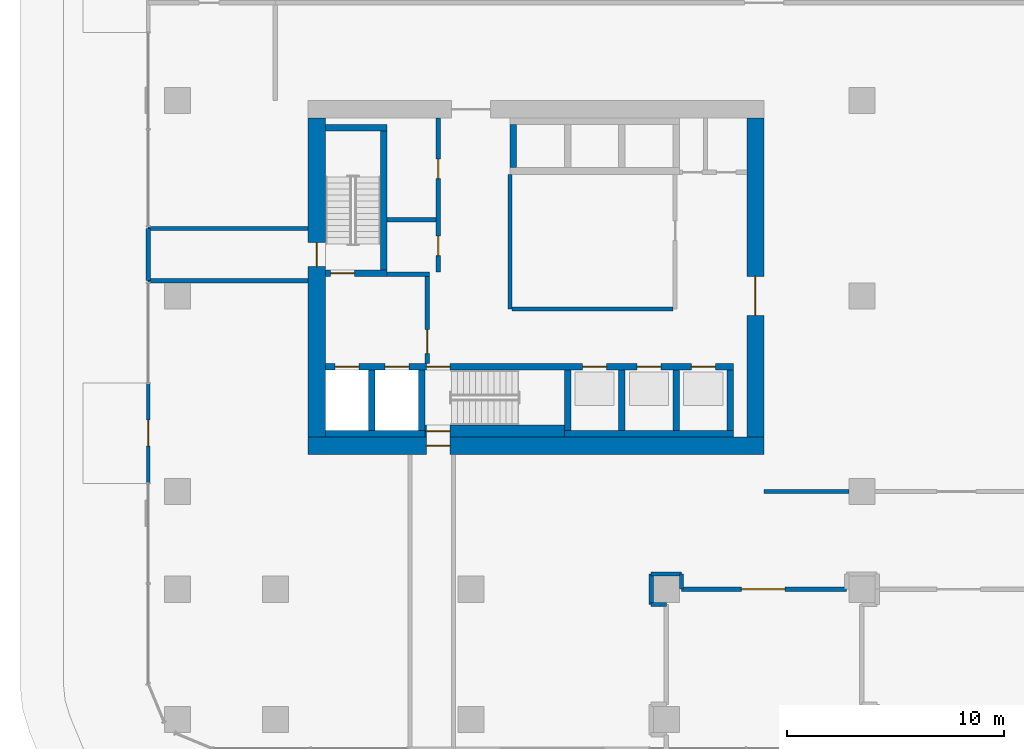
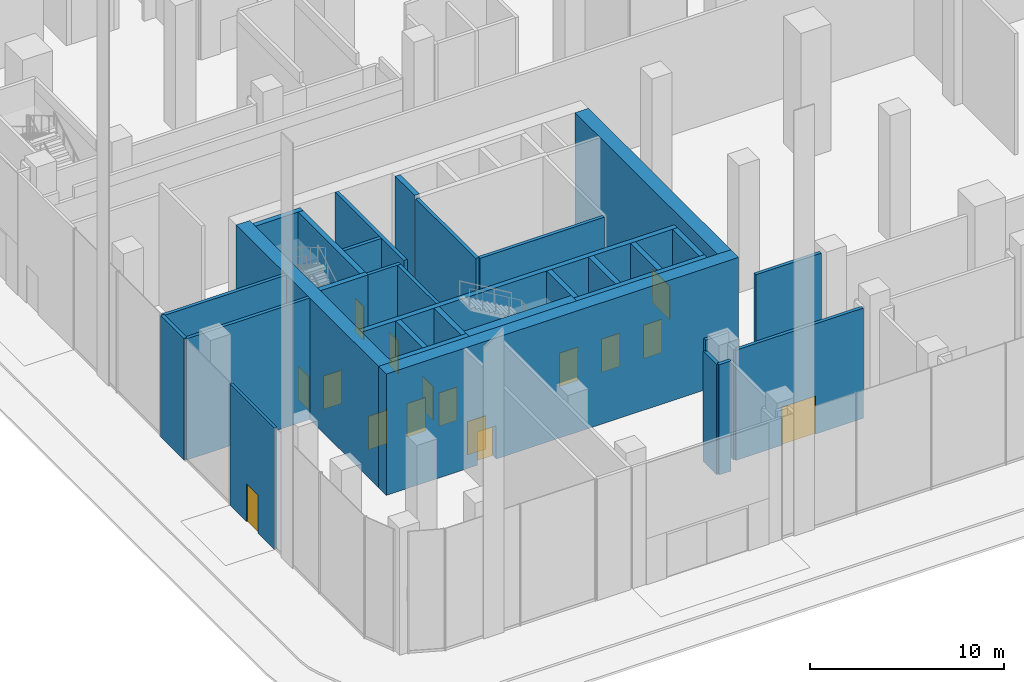
# One storey, part 17 of 42: 33 walls, 16 doors, 16 openings.
"""IFC4 building model written with IfcOpenShell, lengths in metres."""

import ifcopenshell
import ifcopenshell.guid

model = None  # the IFC model being written
_history = None  # IfcOwnerHistory: only IFC2X3 demands one
_inside = {}  # id of a spatial element -> (the spatial element, [elements in it])
_under = {}  # id of a project, library or spatial element -> (it, [spatial elements below it])
_declared = {}  # id of a project -> (the project, [libraries it declares])
_typed = {}  # id of a type object -> (the type object, [elements of that type])
_made_of = {}  # id of a material, layer set ... -> (it, [elements and type objects made of it])


def new_model(schema):
    """Start an empty IFC model of exactly this schema.

    Asked for "IFC4X3", IfcOpenShell would pick the latest addendum, in which some entities
    have other attributes; the version numbers below select the first issue.
    IFC2X3 requires an IfcOwnerHistory on every rooted entity: one is made here for all.
    """
    global model, _history
    if schema == "IFC4X3":
        model = ifcopenshell.file(schema_version=(4, 3, 0, 0))
    else:
        model = ifcopenshell.file(schema=schema)
    _inside.clear()
    _under.clear()
    _declared.clear()
    _typed.clear()
    _made_of.clear()
    _history = None
    if model.schema == "IFC2X3":
        org = make("IfcOrganization", Name="unknown")
        user = make(
            "IfcPersonAndOrganization",
            ThePerson=make("IfcPerson", FamilyName="unknown"),
            TheOrganization=org,
        )
        app = make(
            "IfcApplication",
            ApplicationDeveloper=org,
            Version="unknown",
            ApplicationFullName="unknown",
            ApplicationIdentifier="unknown",
        )
        _history = make(
            "IfcOwnerHistory",
            OwningUser=user,
            OwningApplication=app,
            ChangeAction="ADDED",
            CreationDate=0,
        )
    return model


def make(cls, **values):
    """One entity of the class cls with the attributes given. An attribute that is None is left unset."""
    return model.create_entity(
        cls, **{name: value for name, value in values.items() if value is not None}
    )


def rooted(cls, **values):
    """An entity with a GlobalId (a new one), such as an element, a storey or a relation."""
    return make(cls, GlobalId=ifcopenshell.guid.new(), OwnerHistory=_history, **values)


def si_unit(unit_type, name, prefix=None):
    """IfcSIUnit, for example si_unit("LENGTHUNIT", "METRE", prefix="MILLI")."""
    return make("IfcSIUnit", UnitType=unit_type, Prefix=prefix, Name=name)


def assignment(units):
    """IfcUnitAssignment: the units of a project."""
    return None if units is None else make("IfcUnitAssignment", Units=units)


def point(xyz):
    """IfcCartesianPoint."""
    return None if xyz is None else make("IfcCartesianPoint", Coordinates=xyz)


def direction(xyz):
    """IfcDirection."""
    return None if xyz is None else make("IfcDirection", DirectionRatios=xyz)


def frame(location, z_axis=None, x_axis=None):
    """IfcAxis2Placement3D, a coordinate frame: its origin and axes. An axis left out is left unset."""
    return make(
        "IfcAxis2Placement3D",
        Location=point(location),
        Axis=direction(z_axis),
        RefDirection=direction(x_axis),
    )


def frame_2d(location, x_axis=None):
    """IfcAxis2Placement2D, a coordinate frame in the plane: its origin and x axis."""
    return make(
        "IfcAxis2Placement2D", Location=point(location), RefDirection=direction(x_axis)
    )


def origin():
    """The frame at (0, 0, 0) with its axes left unset."""
    return frame((0.0, 0.0, 0.0))


def place(relative_to, where):
    """IfcLocalPlacement: puts the frame where relative to a parent placement (None: the world)."""
    return make(
        "IfcLocalPlacement", PlacementRelTo=relative_to, RelativePlacement=where
    )


def context(
    kind, dimensions, precision=None, world=None, true_north=None, identifier=None
):
    """IfcGeometricRepresentationContext, for example the 3D "Model" context."""
    return make(
        "IfcGeometricRepresentationContext",
        ContextIdentifier=identifier,
        ContextType=kind,
        CoordinateSpaceDimension=dimensions,
        Precision=precision,
        WorldCoordinateSystem=world,
        TrueNorth=true_north,
    )


def subcontext(parent, identifier, kind, view, scale=None):
    """IfcGeometricRepresentationSubContext, for example "Body" below "Model"."""
    return make(
        "IfcGeometricRepresentationSubContext",
        ContextIdentifier=identifier,
        ContextType=kind,
        ParentContext=parent,
        TargetScale=scale,
        TargetView=view,
    )


def project(units=None, contexts=None):
    """IfcProject with its units and contexts."""
    return rooted(
        "IfcProject",
        Name="project",
        RepresentationContexts=contexts,
        UnitsInContext=assignment(units),
    )


def spatial(cls, under=None, at=None, **own):
    """A site, building, storey or space (cls), placed at a placement, below another one or the project."""
    s = rooted(cls, ObjectPlacement=at, **own)
    if under is not None:
        _under.setdefault(under.id(), (under, []))[1].append(s)
    return s


def profile(cls, at=None, kind="AREA", **sizes):
    """A parametric profile (cls). Its sizes go by their IFC names, for example OverallWidth=200.0."""
    return make(cls, ProfileType=kind, Position=at, **sizes)


def rectangle(**sizes):
    """IfcRectangleProfileDef."""
    return profile("IfcRectangleProfileDef", **sizes)


def extrude(swept, where, along, depth):
    """IfcExtrudedAreaSolid: the profile swept, set in the frame where, extruded along a direction by depth."""
    return make(
        "IfcExtrudedAreaSolid",
        SweptArea=swept,
        Position=where,
        ExtrudedDirection=direction(along),
        Depth=depth,
    )


def shape(context_of_items, identifier, shape_type, items):
    """IfcShapeRepresentation: the items that make up one representation, for example the "Body"."""
    return make(
        "IfcShapeRepresentation",
        ContextOfItems=context_of_items,
        RepresentationIdentifier=identifier,
        RepresentationType=shape_type,
        Items=items,
    )


def material(Name=None, Category=None):
    """IfcMaterial."""
    return make("IfcMaterial", Name=Name, Category=Category)


def layer(
    of_material, thickness, ventilated=None, Name=None, Category=None, Priority=None
):
    """IfcMaterialLayer: one layer of a wall or slab, of a material (None: an air gap)."""
    return make(
        "IfcMaterialLayer",
        Material=of_material,
        LayerThickness=thickness,
        IsVentilated=ventilated,
        Name=Name,
        Category=Category,
        Priority=Priority,
    )


def layer_set(layers, Name=None):
    """IfcMaterialLayerSet."""
    return make("IfcMaterialLayerSet", MaterialLayers=layers, LayerSetName=Name)


def made_of(thing, what):
    """Note that an element or type object is made of a material, layer set ...; save() writes the relation."""
    if what is not None:
        _made_of.setdefault(what.id(), (what, []))[1].append(thing)
    return thing


def type_object(cls, material=None, **own):
    """A type object (cls), such as IfcWallType, which elements share."""
    return made_of(rooted(cls, **own), material)


def element(
    cls,
    number,
    at=None,
    inside=None,
    cuts=None,
    type_object=None,
    material=None,
    context=None,
    identifier="Body",
    shape_type=None,
    held_by="IfcProductDefinitionShape",
    body=None,
    shapes=None,
    **own,
):
    """One element of the class cls, such as IfcWall. Its Tag is "e" and its number.

    at: its placement. inside: the storey or other place that contains it. cuts: it is an
    opening in that element (IfcRelVoidsElement). A single representation is given by context,
    identifier, shape_type and body (its items); several are given by shapes. held_by: the class
    of the entity that holds the representations. save() writes the other relations.
    """
    e = rooted(cls, Tag="e%d" % number, ObjectPlacement=at, **own)
    if body is not None:
        shapes = [shape(context, identifier, shape_type, body)]
    if shapes is not None:
        e.Representation = make(held_by, Representations=shapes)
    if inside is not None:
        _inside.setdefault(inside.id(), (inside, []))[1].append(e)
    if cuts is not None:
        rooted(
            "IfcRelVoidsElement", RelatingBuildingElement=cuts, RelatedOpeningElement=e
        )
    if type_object is not None:
        _typed.setdefault(type_object.id(), (type_object, []))[1].append(e)
    return made_of(e, material)


def fill(opening, filler):
    """IfcRelFillsElement: the door or window that sits in an opening."""
    return rooted(
        "IfcRelFillsElement",
        RelatingOpeningElement=opening,
        RelatedBuildingElement=filler,
    )


def aggregate(whole, parts):
    """IfcRelAggregates: a whole, such as a stair, and the parts it consists of."""
    return rooted("IfcRelAggregates", RelatingObject=whole, RelatedObjects=parts)


def save(model, path):
    """Write the relations noted so far, then the file.

    IfcRelAggregates (storeys below a building ...), IfcRelContainedInSpatialStructure (elements
    in a storey), IfcRelDefinesByType, IfcRelAssociatesMaterial and IfcRelDeclares: one each for
    every whole, place, type object, material and project.
    """
    for whole, parts in _under.values():
        aggregate(whole, parts)
    for where, things in _inside.values():
        rooted(
            "IfcRelContainedInSpatialStructure",
            RelatedElements=things,
            RelatingStructure=where,
        )
    for kind, things in _typed.values():
        rooted("IfcRelDefinesByType", RelatedObjects=things, RelatingType=kind)
    for what, things in _made_of.values():
        rooted("IfcRelAssociatesMaterial", RelatedObjects=things, RelatingMaterial=what)
    for by, libraries in _declared.values():
        rooted("IfcRelDeclares", RelatingContext=by, RelatedDefinitions=libraries)
    model.write(path)


model = new_model("IFC4")

# Units and contexts
model_context = context("Model", 3, precision=1e-05, world=origin(), true_north=direction((0.0, 1.0)))
body_context = subcontext(model_context, "Body", "Model", "MODEL_VIEW")
ifc_project = project(units=[si_unit("LENGTHUNIT", "METRE"), si_unit("AREAUNIT", "SQUARE_METRE"), si_unit("VOLUMEUNIT", "CUBIC_METRE"), si_unit("PLANEANGLEUNIT", "RADIAN"), si_unit("MASSUNIT", "GRAM", prefix="KILO")], contexts=[model_context])

# Site, building, storey
site_placement = place(None, origin())
site = spatial("IfcSite", under=ifc_project, at=site_placement, CompositionType="ELEMENT")
building_placement = place(site_placement, origin())
building = spatial("IfcBuilding", under=site, at=building_placement, Name="Plateau Cross Towers", CompositionType="ELEMENT")
storey_placement = place(building_placement, origin())
storey = spatial("IfcBuildingStorey", under=building, at=storey_placement, Name="L00", CompositionType="ELEMENT", Elevation=0.0)

# Wall, opening, door
ifc_material_1 = material(Name="Concrete block, plastered both sides", Category="concrete")
ifc_layer_1 = layer(ifc_material_1, 0.199951171875)
ifc_layer_set_1 = layer_set([ifc_layer_1], Name="Concrete block, plastered both sides")
wall_type_1 = type_object("IfcWallType", Name="Core partition 200", PredefinedType="PARTITIONING", material=ifc_layer_set_1)
wall_1_placement = place(storey_placement, frame((7.0, 5.89990234375, 0.0), z_axis=(0.0, 0.0, 1.0), x_axis=(0.0, 1.0, 0.0)))
wall_1 = element("IfcWall", 1, at=wall_1_placement, inside=storey, type_object=wall_type_1, Name="Core partition", PredefinedType="PARTITIONING", context=body_context, shape_type="SweptSolid", body=[
    extrude(rectangle(XDim=4.0, YDim=0.199951171875, at=frame_2d((2.0, 0.0))), origin(), (0.0, 0.0, 1.0), 7.64990234375),
])
opening_1_placement = place(wall_1_placement, frame((0.449951171875, 0.0, 0.0)))
opening_1 = element("IfcOpeningElement", 2, at=opening_1_placement, cuts=wall_1, Name="Opening FFD", PredefinedType="OPENING", context=body_context, shape_type="SweptSolid", body=[
    extrude(rectangle(XDim=1.10009765625, YDim=2.10009765625, at=frame_2d((0.550048828125, 1.050048828125))), frame((0.0, 0.10986328125, 0.0), z_axis=(0.0, -1.0, 0.0), x_axis=(1.0, 0.0, 0.0)), (0.0, 0.0, 1.0), 0.219970703125),
])
ifc_material_2 = material(Name="Steel, fire-resisting leaf", Category="steel")
door_type_1 = type_object("IfcDoorType", Name="Firefighting lobby door 1100", OperationType="NOTDEFINED", PredefinedType="DOOR", material=ifc_material_2)
door_1_placement = place(opening_1_placement, origin())
door_1 = element("IfcDoor", 3, at=door_1_placement, inside=storey, type_object=door_type_1, Name="Firefighting lobby door FFD", OperationType="SINGLE_SWING_LEFT", OverallHeight=2.10009765625, OverallWidth=1.10009765625, PredefinedType="DOOR", context=body_context, shape_type="SweptSolid", body=[
    extrude(rectangle(XDim=1.10009765625, YDim=2.10009765625, at=frame_2d((0.550048828125, 1.050048828125))), frame((0.0, 0.02490234375, 0.0), z_axis=(0.0, -1.0, 0.0), x_axis=(1.0, 0.0, 0.0)), (0.0, 0.0, 1.0), 0.050048828125),
])
fill(opening_1, door_1)

# Walls
wall_2_placement = place(storey_placement, frame((5.14990234375, 10.0, 0.0), z_axis=(0.0, 0.0, 1.0), x_axis=(1.0, 0.0, 0.0)))
element("IfcWall", 4, at=wall_2_placement, inside=storey, type_object=wall_type_1, Name="Core partition", PredefinedType="PARTITIONING", context=body_context, shape_type="SweptSolid", body=[
    extrude(rectangle(XDim=1.9501953125, YDim=0.199951171875, at=frame_2d((0.97509765625, 0.0))), origin(), (0.0, 0.0, 1.0), 7.64990234375),
])
wall_3_placement = place(storey_placement, frame((10.800048828125, 8.39990234375, 0.0), z_axis=(0.0, 0.0, 1.0), x_axis=(0.0, 1.0, 0.0)))
element("IfcWall", 5, at=wall_3_placement, inside=storey, type_object=wall_type_1, Name="Core partition", PredefinedType="PARTITIONING", context=body_context, shape_type="SweptSolid", body=[
    extrude(rectangle(XDim=6.2001953125, YDim=0.199951171875, at=frame_2d((3.10009765625, 0.0))), origin(), (0.0, 0.0, 1.0), 7.64990234375),
])
wall_4_placement = place(storey_placement, frame((10.89990234375, 8.39990234375, 0.0), z_axis=(0.0, 0.0, 1.0), x_axis=(1.0, 0.0, 0.0)))
element("IfcWall", 6, at=wall_4_placement, inside=storey, type_object=wall_type_1, Name="Core partition", PredefinedType="PARTITIONING", context=body_context, shape_type="SweptSolid", body=[
    extrude(rectangle(XDim=7.400146484375, YDim=0.199951171875, at=frame_2d((3.7001953125, 0.0))), origin(), (0.0, 0.0, 1.0), 7.64990234375),
])

# Wall, openings, doors
wall_5_placement = place(storey_placement, frame((7.5, 10.10009765625, 0.0), z_axis=(0.0, 0.0, 1.0), x_axis=(0.0, 1.0, 0.0)))
wall_5 = element("IfcWall", 7, at=wall_5_placement, inside=storey, type_object=wall_type_1, Name="Core partition", PredefinedType="PARTITIONING", context=body_context, shape_type="SweptSolid", body=[
    extrude(rectangle(XDim=7.099853515625, YDim=0.199951171875, at=frame_2d((3.5498046875, 0.0))), origin(), (0.0, 0.0, 1.0), 7.64990234375),
])
opening_2_placement = place(wall_5_placement, frame((0.75, 0.0, 0.0)))
opening_2 = element("IfcOpeningElement", 8, at=opening_2_placement, cuts=wall_5, Name="Opening RD1", PredefinedType="OPENING", context=body_context, shape_type="SweptSolid", body=[
    extrude(rectangle(XDim=0.89990234375, YDim=2.10009765625, at=frame_2d((0.449951171875, 1.050048828125))), frame((0.0, 0.10986328125, 0.0), z_axis=(0.0, -1.0, 0.0), x_axis=(1.0, 0.0, 0.0)), (0.0, 0.0, 1.0), 0.219970703125),
])
opening_3_placement = place(wall_5_placement, frame((4.300048828125, 0.0, 0.0)))
opening_3 = element("IfcOpeningElement", 9, at=opening_3_placement, cuts=wall_5, Name="Opening RD1", PredefinedType="OPENING", context=body_context, shape_type="SweptSolid", body=[
    extrude(rectangle(XDim=0.89990234375, YDim=2.10009765625, at=frame_2d((0.449951171875, 1.050048828125))), frame((0.0, 0.10986328125, 0.0), z_axis=(0.0, -1.0, 0.0), x_axis=(1.0, 0.0, 0.0)), (0.0, 0.0, 1.0), 0.219970703125),
])
ifc_material_3 = material(Name="Timber, fire-resisting leaf", Category="wood")
door_type_2 = type_object("IfcDoorType", Name="Core service door 900", OperationType="NOTDEFINED", PredefinedType="DOOR", material=ifc_material_3)
door_2_placement = place(opening_2_placement, origin())
door_2 = element("IfcDoor", 10, at=door_2_placement, inside=storey, type_object=door_type_2, Name="Core service door RD1", OperationType="SINGLE_SWING_RIGHT", OverallHeight=2.10009765625, OverallWidth=0.89990234375, PredefinedType="DOOR", context=body_context, shape_type="SweptSolid", body=[
    extrude(rectangle(XDim=0.89990234375, YDim=2.10009765625, at=frame_2d((0.449951171875, 1.050048828125))), frame((0.0, 0.02490234375, 0.0), z_axis=(0.0, -1.0, 0.0), x_axis=(1.0, 0.0, 0.0)), (0.0, 0.0, 1.0), 0.050048828125),
])
fill(opening_2, door_2)
door_3_placement = place(opening_3_placement, origin())
door_3 = element("IfcDoor", 11, at=door_3_placement, inside=storey, type_object=door_type_2, Name="Core service door RD1", OperationType="SINGLE_SWING_RIGHT", OverallHeight=2.10009765625, OverallWidth=0.89990234375, PredefinedType="DOOR", context=body_context, shape_type="SweptSolid", body=[
    extrude(rectangle(XDim=0.89990234375, YDim=2.10009765625, at=frame_2d((0.449951171875, 1.050048828125))), frame((0.0, 0.02490234375, 0.0), z_axis=(0.0, -1.0, 0.0), x_axis=(1.0, 0.0, 0.0)), (0.0, 0.0, 1.0), 0.050048828125),
])
fill(opening_3, door_3)

# Walls
wall_6_placement = place(storey_placement, frame((5.14990234375, 12.5, 0.0), z_axis=(0.0, 0.0, 1.0), x_axis=(1.0, 0.0, 0.0)))
element("IfcWall", 12, at=wall_6_placement, inside=storey, type_object=wall_type_1, Name="Core partition", PredefinedType="PARTITIONING", context=body_context, shape_type="SweptSolid", body=[
    extrude(rectangle(XDim=2.25, YDim=0.199951171875, at=frame_2d((1.125, 0.0))), origin(), (0.0, 0.0, 1.0), 7.64990234375),
])
for number, where, z_axis, x_axis, name in (
    (13, (-5.85009765625, 9.699951171875, 0.0), (0.0, 0.0, 1.0), (1.0, 0.0, 0.0), "Core partition"),
    (14, (-5.85009765625, 12.10009765625, 0.0), (0.0, 0.0, 1.0), (1.0, 0.0, 0.0), "Core partition"),
):
    element("IfcWall", number, at=place(storey_placement, frame(where, z_axis=z_axis, x_axis=x_axis)), inside=storey, type_object=wall_type_1, Name=name, PredefinedType="PARTITIONING", context=body_context, shape_type="SweptSolid", body=[
        extrude(rectangle(XDim=7.35009765625, YDim=0.199951171875, at=frame_2d((3.675048828125, 0.0))), origin(), (0.0, 0.0, 1.0), 7.64990234375),
    ])
wall_7_placement = place(storey_placement, frame((-5.85009765625, 9.699951171875, 0.0), z_axis=(0.0, 0.0, 1.0), x_axis=(0.0, 1.0, 0.0)))
element("IfcWall", 15, at=wall_7_placement, inside=storey, type_object=wall_type_1, Name="Core partition", PredefinedType="PARTITIONING", context=body_context, shape_type="SweptSolid", body=[
    extrude(rectangle(XDim=2.400146484375, YDim=0.199951171875, at=frame_2d((1.2001953125, 0.0))), origin(), (0.0, 0.0, 1.0), 7.64990234375),
])
ifc_material_4 = material(Name="Concrete C60/75", Category="concrete")
ifc_layer_2 = layer(ifc_material_4, 0.300048828125)
ifc_layer_set_2 = layer_set([ifc_layer_2], Name="Concrete C60/75")
wall_type_2 = type_object("IfcWallType", Name="Core shaft wall 300", PredefinedType="SHEAR", material=ifc_layer_set_2)
wall_8_placement = place(storey_placement, frame((2.300048828125, 2.64990234375, 0.0), z_axis=(0.0, 0.0, 1.0), x_axis=(1.0, 0.0, 0.0)))
element("IfcWall", 16, at=wall_8_placement, inside=storey, type_object=wall_type_2, Name="A-sb-back1@L00", PredefinedType="SHEAR", context=body_context, shape_type="SweptSolid", body=[
    extrude(rectangle(XDim=4.599853515625, YDim=0.300048828125, at=frame_2d((2.2998046875, 0.0))), origin(), (0.0, 0.0, 1.0), 7.64990234375),
])
wall_9_placement = place(storey_placement, frame((13.300048828125, 2.64990234375, 0.0), z_axis=(0.0, 0.0, 1.0), x_axis=(1.0, 0.0, 0.0)))
element("IfcWall", 17, at=wall_9_placement, inside=storey, type_object=wall_type_2, Name="A-sb-back3@L00", PredefinedType="SHEAR", context=body_context, shape_type="SweptSolid", body=[
    extrude(rectangle(XDim=7.800048828125, YDim=0.300048828125, at=frame_2d((3.89990234375, 0.0))), origin(), (0.0, 0.0, 1.0), 7.64990234375),
])
for number, where, z_axis, x_axis, name in (
    (18, (4.449951171875, 2.800048828125, 0.0), (0.0, 0.0, 1.0), (0.0, 1.0, 0.0), "A-sb-v1@L00"),
    (19, (6.75, 2.800048828125, 0.0), (0.0, 0.0, 1.0), (0.0, 1.0, 0.0), "A-sb-v2@L00"),
    (20, (13.449951171875, 2.800048828125, 0.0), (0.0, 0.0, 1.0), (0.0, 1.0, 0.0), "A-sb-v3@L00"),
    (21, (15.949951171875, 2.800048828125, 0.0), (0.0, 0.0, 1.0), (0.0, 1.0, 0.0), "A-sb-v4@L00"),
    (22, (18.449951171875, 2.800048828125, 0.0), (0.0, 0.0, 1.0), (0.0, 1.0, 0.0), "A-sb-v5@L00"),
    (23, (20.949951171875, 2.800048828125, 0.0), (0.0, 0.0, 1.0), (0.0, 1.0, 0.0), "A-sb-v6@L00"),
):
    element("IfcWall", number, at=place(storey_placement, frame(where, z_axis=z_axis, x_axis=x_axis)), inside=storey, type_object=wall_type_2, Name=name, PredefinedType="SHEAR", context=body_context, shape_type="SweptSolid", body=[
        extrude(rectangle(XDim=2.800048828125, YDim=0.300048828125, at=frame_2d((1.39990234375, 0.0))), origin(), (0.0, 0.0, 1.0), 7.64990234375),
    ])

# Wall, openings, doors
wall_10_placement = place(storey_placement, frame((2.300048828125, 5.75, 0.0), z_axis=(0.0, 0.0, 1.0), x_axis=(1.0, 0.0, 0.0)))
wall_10 = element("IfcWall", 24, at=wall_10_placement, inside=storey, type_object=wall_type_2, Name="A-sb-front@L00", PredefinedType="SHEAR", context=body_context, shape_type="SweptSolid", body=[
    extrude(rectangle(XDim=18.800048828125, YDim=0.300048828125, at=frame_2d((9.39990234375, 0.0))), origin(), (0.0, 0.0, 1.0), 7.64990234375),
])
opening_4_placement = place(wall_10_placement, frame((4.64990234375, 0.0, 0.0)))
opening_4 = element("IfcOpeningElement", 25, at=opening_4_placement, cuts=wall_10, Name="Opening SD", PredefinedType="OPENING", context=body_context, shape_type="SweptSolid", body=[
    extrude(rectangle(XDim=1.10009765625, YDim=2.10009765625, at=frame_2d((0.550048828125, 1.050048828125))), frame((0.0, 0.159912109375, 0.0), z_axis=(0.0, -1.0, 0.0), x_axis=(1.0, 0.0, 0.0)), (0.0, 0.0, 1.0), 0.320068359375),
])
opening_5_placement = place(wall_10_placement, frame((0.449951171875, 0.0, 0.0)))
opening_5 = element("IfcOpeningElement", 26, at=opening_5_placement, cuts=wall_10, Name="Opening LD", PredefinedType="OPENING", context=body_context, shape_type="SweptSolid", body=[
    extrude(rectangle(XDim=1.10009765625, YDim=2.10009765625, at=frame_2d((0.550048828125, 1.050048828125))), frame((0.0, 0.159912109375, 0.0), z_axis=(0.0, -1.0, 0.0), x_axis=(1.0, 0.0, 0.0)), (0.0, 0.0, 1.0), 0.320068359375),
])
opening_6_placement = place(wall_10_placement, frame((2.75, 0.0, 0.0)))
opening_6 = element("IfcOpeningElement", 27, at=opening_6_placement, cuts=wall_10, Name="Opening LD", PredefinedType="OPENING", context=body_context, shape_type="SweptSolid", body=[
    extrude(rectangle(XDim=1.10009765625, YDim=2.10009765625, at=frame_2d((0.550048828125, 1.050048828125))), frame((0.0, 0.159912109375, 0.0), z_axis=(0.0, -1.0, 0.0), x_axis=(1.0, 0.0, 0.0)), (0.0, 0.0, 1.0), 0.320068359375),
])
opening_7_placement = place(wall_10_placement, frame((11.85009765625, 0.0, 0.0)))
opening_7 = element("IfcOpeningElement", 28, at=opening_7_placement, cuts=wall_10, Name="Opening LD", PredefinedType="OPENING", context=body_context, shape_type="SweptSolid", body=[
    extrude(rectangle(XDim=1.10009765625, YDim=2.10009765625, at=frame_2d((0.550048828125, 1.050048828125))), frame((0.0, 0.159912109375, 0.0), z_axis=(0.0, -1.0, 0.0), x_axis=(1.0, 0.0, 0.0)), (0.0, 0.0, 1.0), 0.320068359375),
])
opening_8_placement = place(wall_10_placement, frame((14.35009765625, 0.0, 0.0)))
opening_8 = element("IfcOpeningElement", 29, at=opening_8_placement, cuts=wall_10, Name="Opening LD", PredefinedType="OPENING", context=body_context, shape_type="SweptSolid", body=[
    extrude(rectangle(XDim=1.10009765625, YDim=2.10009765625, at=frame_2d((0.550048828125, 1.050048828125))), frame((0.0, 0.159912109375, 0.0), z_axis=(0.0, -1.0, 0.0), x_axis=(1.0, 0.0, 0.0)), (0.0, 0.0, 1.0), 0.320068359375),
])
opening_9_placement = place(wall_10_placement, frame((16.85009765625, 0.0, 0.0)))
opening_9 = element("IfcOpeningElement", 30, at=opening_9_placement, cuts=wall_10, Name="Opening LD", PredefinedType="OPENING", context=body_context, shape_type="SweptSolid", body=[
    extrude(rectangle(XDim=1.10009765625, YDim=2.10009765625, at=frame_2d((0.550048828125, 1.050048828125))), frame((0.0, 0.159912109375, 0.0), z_axis=(0.0, -1.0, 0.0), x_axis=(1.0, 0.0, 0.0)), (0.0, 0.0, 1.0), 0.320068359375),
])
ifc_material_5 = material(Name="Stainless steel, fire-resisting sliding leaves", Category="steel")
door_type_3 = type_object("IfcDoorType", Name="Lift landing door 1100", OperationType="NOTDEFINED", PredefinedType="DOOR", material=ifc_material_5)
door_4_placement = place(opening_5_placement, origin())
door_4 = element("IfcDoor", 31, at=door_4_placement, inside=storey, type_object=door_type_3, Name="Lift landing door LD", OperationType="DOUBLE_DOOR_SLIDING", OverallHeight=2.10009765625, OverallWidth=1.10009765625, PredefinedType="DOOR", context=body_context, shape_type="SweptSolid", body=[
    extrude(rectangle(XDim=1.10009765625, YDim=2.10009765625, at=frame_2d((0.550048828125, 1.050048828125))), frame((0.0, 0.02490234375, 0.0), z_axis=(0.0, -1.0, 0.0), x_axis=(1.0, 0.0, 0.0)), (0.0, 0.0, 1.0), 0.050048828125),
])
fill(opening_5, door_4)
door_5_placement = place(opening_6_placement, origin())
door_5 = element("IfcDoor", 32, at=door_5_placement, inside=storey, type_object=door_type_3, Name="Lift landing door LD", OperationType="DOUBLE_DOOR_SLIDING", OverallHeight=2.10009765625, OverallWidth=1.10009765625, PredefinedType="DOOR", context=body_context, shape_type="SweptSolid", body=[
    extrude(rectangle(XDim=1.10009765625, YDim=2.10009765625, at=frame_2d((0.550048828125, 1.050048828125))), frame((0.0, 0.02490234375, 0.0), z_axis=(0.0, -1.0, 0.0), x_axis=(1.0, 0.0, 0.0)), (0.0, 0.0, 1.0), 0.050048828125),
])
fill(opening_6, door_5)
door_6_placement = place(opening_7_placement, origin())
door_6 = element("IfcDoor", 33, at=door_6_placement, inside=storey, type_object=door_type_3, Name="Lift landing door LD", OperationType="DOUBLE_DOOR_SLIDING", OverallHeight=2.10009765625, OverallWidth=1.10009765625, PredefinedType="DOOR", context=body_context, shape_type="SweptSolid", body=[
    extrude(rectangle(XDim=1.10009765625, YDim=2.10009765625, at=frame_2d((0.550048828125, 1.050048828125))), frame((0.0, 0.02490234375, 0.0), z_axis=(0.0, -1.0, 0.0), x_axis=(1.0, 0.0, 0.0)), (0.0, 0.0, 1.0), 0.050048828125),
])
fill(opening_7, door_6)
door_7_placement = place(opening_8_placement, origin())
door_7 = element("IfcDoor", 34, at=door_7_placement, inside=storey, type_object=door_type_3, Name="Lift landing door LD", OperationType="DOUBLE_DOOR_SLIDING", OverallHeight=2.10009765625, OverallWidth=1.10009765625, PredefinedType="DOOR", context=body_context, shape_type="SweptSolid", body=[
    extrude(rectangle(XDim=1.10009765625, YDim=2.10009765625, at=frame_2d((0.550048828125, 1.050048828125))), frame((0.0, 0.02490234375, 0.0), z_axis=(0.0, -1.0, 0.0), x_axis=(1.0, 0.0, 0.0)), (0.0, 0.0, 1.0), 0.050048828125),
])
fill(opening_8, door_7)
door_8_placement = place(opening_9_placement, origin())
door_8 = element("IfcDoor", 35, at=door_8_placement, inside=storey, type_object=door_type_3, Name="Lift landing door LD", OperationType="DOUBLE_DOOR_SLIDING", OverallHeight=2.10009765625, OverallWidth=1.10009765625, PredefinedType="DOOR", context=body_context, shape_type="SweptSolid", body=[
    extrude(rectangle(XDim=1.10009765625, YDim=2.10009765625, at=frame_2d((0.550048828125, 1.050048828125))), frame((0.0, 0.02490234375, 0.0), z_axis=(0.0, -1.0, 0.0), x_axis=(1.0, 0.0, 0.0)), (0.0, 0.0, 1.0), 0.050048828125),
])
fill(opening_9, door_8)
door_type_4 = type_object("IfcDoorType", Name="Stair door 1100", OperationType="NOTDEFINED", PredefinedType="DOOR", material=ifc_material_2)
door_9_placement = place(opening_4_placement, origin())
door_9 = element("IfcDoor", 36, at=door_9_placement, inside=storey, type_object=door_type_4, Name="Stair door SD", OperationType="SINGLE_SWING_LEFT", OverallHeight=2.10009765625, OverallWidth=1.10009765625, PredefinedType="DOOR", context=body_context, shape_type="SweptSolid", body=[
    extrude(rectangle(XDim=1.10009765625, YDim=2.10009765625, at=frame_2d((0.550048828125, 1.050048828125))), frame((0.0, 0.02490234375, 0.0), z_axis=(0.0, -1.0, 0.0), x_axis=(1.0, 0.0, 0.0)), (0.0, 0.0, 1.0), 0.050048828125),
])
fill(opening_4, door_9)

# Wall, opening, door
wall_11_placement = place(storey_placement, frame((2.300048828125, 10.050048828125, 0.0), z_axis=(0.0, 0.0, 1.0), x_axis=(1.0, 0.0, 0.0)))
wall_11 = element("IfcWall", 37, at=wall_11_placement, inside=storey, type_object=wall_type_2, Name="A-st1-S@L00", PredefinedType="SHEAR", context=body_context, shape_type="SweptSolid", body=[
    extrude(rectangle(XDim=2.849853515625, YDim=0.300048828125, at=frame_2d((1.4248046875, 0.0))), origin(), (0.0, 0.0, 1.0), 7.64990234375),
])
opening_10_placement = place(wall_11_placement, frame((0.25, 0.0, 0.0)))
opening_10 = element("IfcOpeningElement", 38, at=opening_10_placement, cuts=wall_11, Name="Opening SD", PredefinedType="OPENING", context=body_context, shape_type="SweptSolid", body=[
    extrude(rectangle(XDim=1.10009765625, YDim=2.10009765625, at=frame_2d((0.550048828125, 1.050048828125))), frame((0.0, 0.159912109375, 0.0), z_axis=(0.0, -1.0, 0.0), x_axis=(1.0, 0.0, 0.0)), (0.0, 0.0, 1.0), 0.320068359375),
])
door_10_placement = place(opening_10_placement, origin())
door_10 = element("IfcDoor", 39, at=door_10_placement, inside=storey, type_object=door_type_4, Name="Stair door SD", OperationType="SINGLE_SWING_RIGHT", OverallHeight=2.10009765625, OverallWidth=1.10009765625, PredefinedType="DOOR", context=body_context, shape_type="SweptSolid", body=[
    extrude(rectangle(XDim=1.10009765625, YDim=2.10009765625, at=frame_2d((0.550048828125, 1.050048828125))), frame((0.0, 0.02490234375, 0.0), z_axis=(0.0, -1.0, 0.0), x_axis=(1.0, 0.0, 0.0)), (0.0, 0.0, 1.0), 0.050048828125),
])
fill(opening_10, door_10)

# Walls
wall_12_placement = place(storey_placement, frame((5.0, 10.199951171875, 0.0), z_axis=(0.0, 0.0, 1.0), x_axis=(0.0, 1.0, 0.0)))
element("IfcWall", 40, at=wall_12_placement, inside=storey, type_object=wall_type_2, Name="A-st1-E@L00", PredefinedType="SHEAR", context=body_context, shape_type="SweptSolid", body=[
    extrude(rectangle(XDim=6.400146484375, YDim=0.300048828125, at=frame_2d((3.2001953125, 0.0))), origin(), (0.0, 0.0, 1.0), 7.64990234375),
])
wall_13_placement = place(storey_placement, frame((2.300048828125, 16.75, 0.0), z_axis=(0.0, 0.0, 1.0), x_axis=(1.0, 0.0, 0.0)))
element("IfcWall", 41, at=wall_13_placement, inside=storey, type_object=wall_type_2, Name="A-st1-N@L00", PredefinedType="SHEAR", context=body_context, shape_type="SweptSolid", body=[
    extrude(rectangle(XDim=2.849853515625, YDim=0.300048828125, at=frame_2d((1.4248046875, 0.0))), origin(), (0.0, 0.0, 1.0), 7.64990234375),
])
wall_14_placement = place(storey_placement, frame((10.949951171875, 14.89990234375, 0.0), z_axis=(0.0, 0.0, 1.0), x_axis=(0.0, 1.0, 0.0)))
element("IfcWall", 42, at=wall_14_placement, inside=storey, type_object=wall_type_2, Name="A-nb-v1@L00", PredefinedType="SHEAR", context=body_context, shape_type="SweptSolid", body=[
    extrude(rectangle(XDim=2.0, YDim=0.300048828125, at=frame_2d((1.0, 0.0))), origin(), (0.0, 0.0, 1.0), 7.64990234375),
])

# Wall, opening, door
ifc_layer_3 = layer(ifc_material_4, 0.550048828125)
ifc_layer_set_3 = layer_set([ifc_layer_3], Name="Concrete C60/75")
wall_type_3 = type_object("IfcWallType", Name="Core shaft wall 550", PredefinedType="SHEAR", material=ifc_layer_set_3)
wall_15_placement = place(storey_placement, frame((6.89990234375, 2.77490234375, 0.0), z_axis=(0.0, 0.0, 1.0), x_axis=(1.0, 0.0, 0.0)))
wall_15 = element("IfcWall", 43, at=wall_15_placement, inside=storey, type_object=wall_type_3, Name="A-sb-back2@L00", PredefinedType="SHEAR", context=body_context, shape_type="SweptSolid", body=[
    extrude(rectangle(XDim=6.400146484375, YDim=0.550048828125, at=frame_2d((3.2001953125, 0.0))), origin(), (0.0, 0.0, 1.0), 7.64990234375),
])
opening_11_placement = place(wall_15_placement, frame((0.050048828125, 0.0, 0.0)))
opening_11 = element("IfcOpeningElement", 44, at=opening_11_placement, cuts=wall_15, Name="Opening XD", PredefinedType="OPENING", context=body_context, shape_type="SweptSolid", body=[
    extrude(rectangle(XDim=1.10009765625, YDim=2.10009765625, at=frame_2d((0.550048828125, 1.050048828125))), frame((0.0, 0.284912109375, 0.0), z_axis=(0.0, -1.0, 0.0), x_axis=(1.0, 0.0, 0.0)), (0.0, 0.0, 1.0), 0.570068359375),
])
door_type_5 = type_object("IfcDoorType", Name="Exit door 1100", OperationType="NOTDEFINED", PredefinedType="DOOR", material=ifc_material_2)
door_11_placement = place(opening_11_placement, origin())
door_11 = element("IfcDoor", 45, at=door_11_placement, inside=storey, type_object=door_type_5, Name="Exit door XD", OperationType="SINGLE_SWING_LEFT", OverallHeight=2.10009765625, OverallWidth=1.10009765625, PredefinedType="DOOR", context=body_context, shape_type="SweptSolid", body=[
    extrude(rectangle(XDim=1.10009765625, YDim=2.10009765625, at=frame_2d((0.550048828125, 1.050048828125))), frame((0.0, 0.02490234375, 0.0), z_axis=(0.0, -1.0, 0.0), x_axis=(1.0, 0.0, 0.0)), (0.0, 0.0, 1.0), 0.050048828125),
])
fill(opening_11, door_11)

ifc_layer_4 = layer(ifc_material_4, 0.800048828125)
ifc_layer_set_4 = layer_set([ifc_layer_4], Name="Concrete C60/75")
wall_type_4 = type_object("IfcWallType", Name="Core shell wall 800", PredefinedType="SHEAR", material=ifc_layer_set_4)
wall_16_placement = place(storey_placement, frame((1.5, 2.10009765625, 0.0), z_axis=(0.0, 0.0, 1.0), x_axis=(1.0, 0.0, 0.0)))
wall_16 = element("IfcWall", 46, at=wall_16_placement, inside=storey, type_object=wall_type_4, Name="A-core-S@L00", PredefinedType="SHEAR", context=body_context, shape_type="SweptSolid", body=[
    extrude(rectangle(XDim=21.0, YDim=0.800048828125, at=frame_2d((10.5, 0.0))), origin(), (0.0, 0.0, 1.0), 7.64990234375),
])
opening_12_placement = place(wall_16_placement, frame((5.449951171875, 0.0, 0.0)))
opening_12 = element("IfcOpeningElement", 47, at=opening_12_placement, cuts=wall_16, Name="Opening XD", PredefinedType="OPENING", context=body_context, shape_type="SweptSolid", body=[
    extrude(rectangle(XDim=1.10009765625, YDim=2.10009765625, at=frame_2d((0.550048828125, 1.050048828125))), frame((0.0, 0.409912109375, 0.0), z_axis=(0.0, -1.0, 0.0), x_axis=(1.0, 0.0, 0.0)), (0.0, 0.0, 1.0), 0.820068359375),
])
door_12_placement = place(opening_12_placement, origin())
door_12 = element("IfcDoor", 48, at=door_12_placement, inside=storey, type_object=door_type_5, Name="Exit door XD", OperationType="SINGLE_SWING_LEFT", OverallHeight=2.10009765625, OverallWidth=1.10009765625, PredefinedType="DOOR", context=body_context, shape_type="SweptSolid", body=[
    extrude(rectangle(XDim=1.10009765625, YDim=2.10009765625, at=frame_2d((0.550048828125, 1.050048828125))), frame((0.0, 0.02490234375, 0.0), z_axis=(0.0, -1.0, 0.0), x_axis=(1.0, 0.0, 0.0)), (0.0, 0.0, 1.0), 0.050048828125),
])
fill(opening_12, door_12)

wall_17_placement = place(storey_placement, frame((1.89990234375, 2.5, 0.0), z_axis=(0.0, 0.0, 1.0), x_axis=(0.0, 1.0, 0.0)))
wall_17 = element("IfcWall", 49, at=wall_17_placement, inside=storey, type_object=wall_type_4, Name="A-core-W@L00", PredefinedType="SHEAR", context=body_context, shape_type="SweptSolid", body=[
    extrude(rectangle(XDim=14.699951171875, YDim=0.800048828125, at=frame_2d((7.35009765625, 0.0))), origin(), (0.0, 0.0, 1.0), 7.64990234375),
])
opening_13_placement = place(wall_17_placement, frame((7.85009765625, 0.0, 0.0)))
opening_13 = element("IfcOpeningElement", 50, at=opening_13_placement, cuts=wall_17, Name="Opening XD", PredefinedType="OPENING", context=body_context, shape_type="SweptSolid", body=[
    extrude(rectangle(XDim=1.10009765625, YDim=2.10009765625, at=frame_2d((0.550048828125, 1.050048828125))), frame((0.0, 0.409912109375, 0.0), z_axis=(0.0, -1.0, 0.0), x_axis=(1.0, 0.0, 0.0)), (0.0, 0.0, 1.0), 0.820068359375),
])
door_13_placement = place(opening_13_placement, origin())
door_13 = element("IfcDoor", 51, at=door_13_placement, inside=storey, type_object=door_type_5, Name="Exit door XD", OperationType="SINGLE_SWING_LEFT", OverallHeight=2.10009765625, OverallWidth=1.10009765625, PredefinedType="DOOR", context=body_context, shape_type="SweptSolid", body=[
    extrude(rectangle(XDim=1.10009765625, YDim=2.10009765625, at=frame_2d((0.550048828125, 1.050048828125))), frame((0.0, 0.02490234375, 0.0), z_axis=(0.0, -1.0, 0.0), x_axis=(1.0, 0.0, 0.0)), (0.0, 0.0, 1.0), 0.050048828125),
])
fill(opening_13, door_13)

wall_18_placement = place(storey_placement, frame((22.10009765625, 2.5, 0.0), z_axis=(0.0, 0.0, 1.0), x_axis=(0.0, 1.0, 0.0)))
wall_18 = element("IfcWall", 52, at=wall_18_placement, inside=storey, type_object=wall_type_4, Name="A-core-E@L00", PredefinedType="SHEAR", context=body_context, shape_type="SweptSolid", body=[
    extrude(rectangle(XDim=14.699951171875, YDim=0.800048828125, at=frame_2d((7.35009765625, 0.0))), origin(), (0.0, 0.0, 1.0), 7.64990234375),
])
opening_14_placement = place(wall_18_placement, frame((5.60009765625, 0.0, 0.0)))
opening_14 = element("IfcOpeningElement", 53, at=opening_14_placement, cuts=wall_18, Name="Opening CD", PredefinedType="OPENING", context=body_context, shape_type="SweptSolid", body=[
    extrude(rectangle(XDim=1.800048828125, YDim=2.10009765625, at=frame_2d((0.89990234375, 1.050048828125))), frame((0.0, 0.409912109375, 0.0), z_axis=(0.0, -1.0, 0.0), x_axis=(1.0, 0.0, 0.0)), (0.0, 0.0, 1.0), 0.820068359375),
])
ifc_material_6 = material(Name="Steel, fire-resisting leaves", Category="steel")
door_type_6 = type_object("IfcDoorType", Name="Corridor door pair 1800", OperationType="NOTDEFINED", PredefinedType="DOOR", material=ifc_material_6)
door_14_placement = place(opening_14_placement, origin())
door_14 = element("IfcDoor", 54, at=door_14_placement, inside=storey, type_object=door_type_6, Name="Corridor door pair CD", OperationType="DOUBLE_DOOR_SINGLE_SWING", OverallHeight=2.10009765625, OverallWidth=1.800048828125, PredefinedType="DOOR", context=body_context, shape_type="SweptSolid", body=[
    extrude(rectangle(XDim=1.800048828125, YDim=2.10009765625, at=frame_2d((0.89990234375, 1.050048828125))), frame((0.0, 0.02490234375, 0.0), z_axis=(0.0, -1.0, 0.0), x_axis=(1.0, 0.0, 0.0)), (0.0, 0.0, 1.0), 0.050048828125),
])
fill(opening_14, door_14)

ifc_material_7 = material(Name="Aluminium framed glazing", Category="aluminium")
ifc_layer_5 = layer(ifc_material_7, 0.159912109375)
ifc_layer_set_5 = layer_set([ifc_layer_5], Name="Aluminium framed glazing")
wall_type_5 = type_object("IfcWallType", Name="Entrance screen wall 160", PredefinedType="STANDARD", material=ifc_layer_set_5)
wall_19_placement = place(storey_placement, frame((-5.85009765625, 0.375, 0.0), z_axis=(0.0, 0.0, 1.0), x_axis=(0.0, 1.0, 0.0)))
wall_19 = element("IfcWall", 55, at=wall_19_placement, inside=storey, type_object=wall_type_5, Name="Service cycle-W screen wall", PredefinedType="STANDARD", context=body_context, shape_type="SweptSolid", body=[
    extrude(rectangle(XDim=4.612548828125, YDim=0.159912109375, at=frame_2d((2.30615234375, 0.0))), origin(), (0.0, 0.0, 1.0), 7.64990234375),
])
opening_15_placement = place(wall_19_placement, frame((1.706298828125, 0.0, 0.0)))
opening_15 = element("IfcOpeningElement", 56, at=opening_15_placement, cuts=wall_19, Name="Opening XD4", PredefinedType="OPENING", context=body_context, shape_type="SweptSolid", body=[
    extrude(rectangle(XDim=1.199951171875, YDim=2.39990234375, at=frame_2d((0.60009765625, 1.199951171875))), frame((0.0, 0.08984375, 0.0), z_axis=(0.0, -1.0, 0.0), x_axis=(1.0, 0.0, 0.0)), (0.0, 0.0, 1.0), 0.179931640625),
])
ifc_material_8 = material(Name="Steel S355", Category="steel")
door_type_7 = type_object("IfcDoorType", Name="Service door single leaf 1200x2400", OperationType="SINGLE_SWING_LEFT", PredefinedType="DOOR", material=ifc_material_8)
door_15_placement = place(opening_15_placement, origin())
door_15 = element("IfcDoor", 57, at=door_15_placement, inside=storey, type_object=door_type_7, Name="Service cycle-W door", OperationType="SINGLE_SWING_LEFT", OverallHeight=2.39990234375, OverallWidth=1.199951171875, PredefinedType="DOOR", context=body_context, shape_type="SweptSolid", body=[
    extrude(rectangle(XDim=1.199951171875, YDim=2.39990234375, at=frame_2d((0.60009765625, 1.199951171875))), frame((0.0, 0.02490234375, 0.0), z_axis=(0.0, -1.0, 0.0), x_axis=(1.0, 0.0, 0.0)), (0.0, 0.0, 1.0), 0.050048828125),
])
fill(opening_15, door_15)

# Wall
ifc_material_9 = material(Name="Gypsum board on steel studs", Category="steel")
ifc_layer_6 = layer(ifc_material_9, 0.199951171875)
ifc_layer_set_6 = layer_set([ifc_layer_6], Name="Gypsum board on steel studs")
wall_type_6 = type_object("IfcWallType", Name="Podium partition 200", PredefinedType="PARTITIONING", material=ifc_layer_set_6)
wall_20_placement = place(storey_placement, frame((22.5, 0.0, 0.0), z_axis=(0.0, 0.0, 1.0), x_axis=(1.0, 0.0, 0.0)))
element("IfcWall", 58, at=wall_20_placement, inside=storey, type_object=wall_type_6, Name="Partition wall", PredefinedType="PARTITIONING", context=body_context, shape_type="SweptSolid", body=[
    extrude(rectangle(XDim=3.89990234375, YDim=0.199951171875, at=frame_2d((1.949951171875, 0.0))), origin(), (0.0, 0.0, 1.0), 7.64990234375),
])

# Wall, opening, door
wall_21_placement = place(storey_placement, frame((26.300048828125, -4.5, 0.0), z_axis=(0.0, 0.0, 1.0), x_axis=(-1.0, 0.0, 0.0)))
wall_21 = element("IfcWall", 59, at=wall_21_placement, inside=storey, type_object=wall_type_6, Name="Partition wall", PredefinedType="PARTITIONING", context=body_context, shape_type="SweptSolid", body=[
    extrude(rectangle(XDim=7.60009765625, YDim=0.199951171875, at=frame_2d((3.800048828125, 0.0))), origin(), (0.0, 0.0, 1.0), 6.949951171875),
])
opening_16_placement = place(wall_21_placement, frame((2.85009765625, 0.0, 0.0)))
opening_16 = element("IfcOpeningElement", 60, at=opening_16_placement, cuts=wall_21, Name="Opening 00-14", PredefinedType="OPENING", context=body_context, shape_type="SweptSolid", body=[
    extrude(rectangle(XDim=2.0, YDim=2.39990234375, at=frame_2d((1.0, 1.199951171875))), frame((0.0, 0.10986328125, 0.0), z_axis=(0.0, -1.0, 0.0), x_axis=(1.0, 0.0, 0.0)), (0.0, 0.0, 1.0), 0.219970703125),
])
ifc_material_10 = material(Name="Aluminium frame, toughened glass", Category="aluminium")
door_type_8 = type_object("IfcDoorType", Name="Shop entrance double door 2000x2400", OperationType="NOTDEFINED", PredefinedType="DOOR", material=ifc_material_10)
door_16_placement = place(opening_16_placement, origin())
door_16 = element("IfcDoor", 61, at=door_16_placement, inside=storey, type_object=door_type_8, Name="Door 00-14", OperationType="SINGLE_SWING_LEFT", OverallHeight=2.39990234375, OverallWidth=2.0, PredefinedType="DOOR", context=body_context, shape_type="SweptSolid", body=[
    extrude(rectangle(XDim=2.0, YDim=2.39990234375, at=frame_2d((1.0, 1.199951171875))), frame((0.0, 0.02490234375, 0.0), z_axis=(0.0, -1.0, 0.0), x_axis=(1.0, 0.0, 0.0)), (0.0, 0.0, 1.0), 0.050048828125),
])
fill(opening_16, door_16)

# Walls
wall_22_placement = place(storey_placement, frame((18.699951171875, -4.5, 0.0), z_axis=(0.0, 0.0, 1.0), x_axis=(0.0, 1.0, 0.0)))
element("IfcWall", 62, at=wall_22_placement, inside=storey, type_object=wall_type_6, Name="Partition wall", PredefinedType="PARTITIONING", context=body_context, shape_type="SweptSolid", body=[
    extrude(rectangle(XDim=0.699951171875, YDim=0.199951171875, at=frame_2d((0.35009765625, 0.0))), origin(), (0.0, 0.0, 1.0), 6.949951171875),
])
wall_23_placement = place(storey_placement, frame((18.699951171875, -3.800048828125, 0.0), z_axis=(0.0, 0.0, 1.0), x_axis=(-1.0, 0.0, 0.0)))
element("IfcWall", 63, at=wall_23_placement, inside=storey, type_object=wall_type_6, Name="Partition wall", PredefinedType="PARTITIONING", context=body_context, shape_type="SweptSolid", body=[
    extrude(rectangle(XDim=1.39990234375, YDim=0.199951171875, at=frame_2d((0.699951171875, 0.0))), origin(), (0.0, 0.0, 1.0), 7.64990234375),
])
wall_24_placement = place(storey_placement, frame((17.300048828125, -3.800048828125, 0.0), z_axis=(0.0, 0.0, 1.0), x_axis=(0.0, -1.0, 0.0)))
element("IfcWall", 64, at=wall_24_placement, inside=storey, type_object=wall_type_6, Name="Partition wall", PredefinedType="PARTITIONING", context=body_context, shape_type="SweptSolid", body=[
    extrude(rectangle(XDim=1.39990234375, YDim=0.199951171875, at=frame_2d((0.699951171875, 0.0))), origin(), (0.0, 0.0, 1.0), 6.949951171875),
])
wall_25_placement = place(storey_placement, frame((17.300048828125, -5.199951171875, 0.0), z_axis=(0.0, 0.0, 1.0), x_axis=(1.0, 0.0, 0.0)))
element("IfcWall", 65, at=wall_25_placement, inside=storey, type_object=wall_type_6, Name="Partition wall", PredefinedType="PARTITIONING", context=body_context, shape_type="SweptSolid", body=[
    extrude(rectangle(XDim=0.699951171875, YDim=0.199951171875, at=frame_2d((0.35009765625, 0.0))), origin(), (0.0, 0.0, 1.0), 6.949951171875),
])

save(model, "model.ifc")
